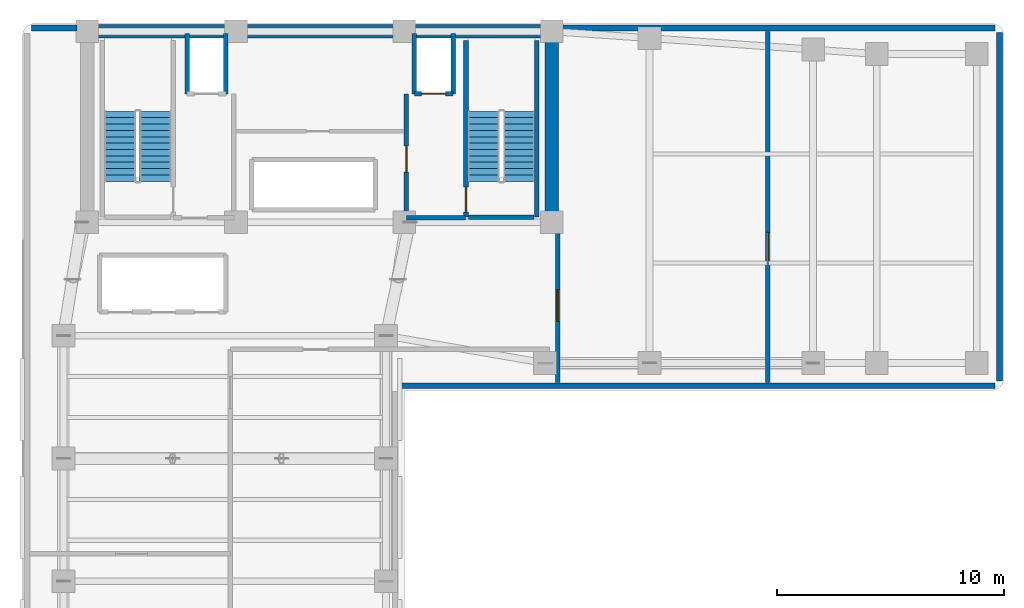
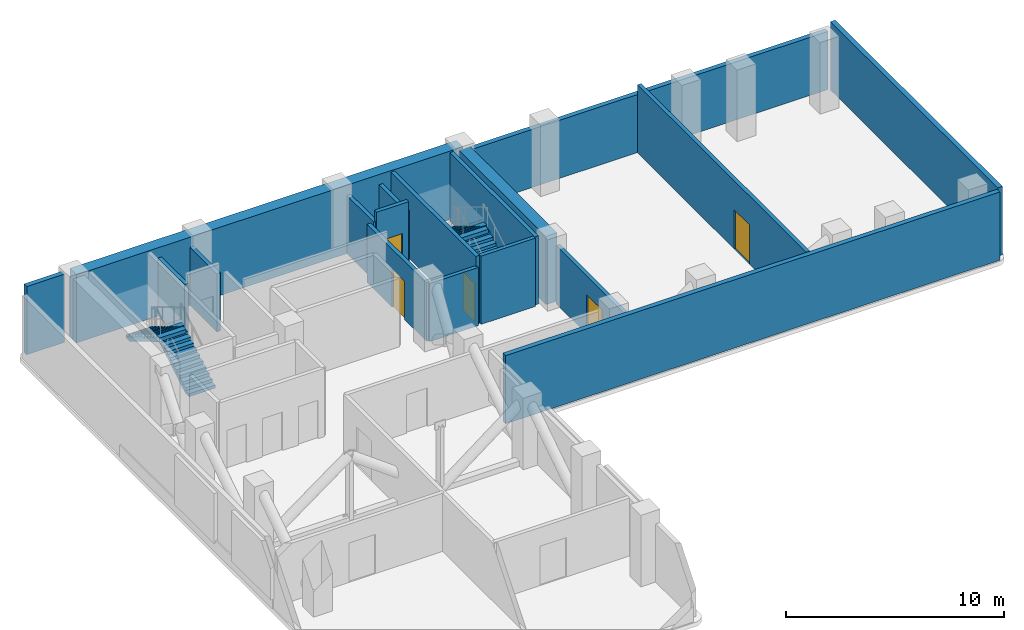
# One storey, part 5 of 6: 18 walls, 5 doors, 4 stair flights, 5 openings, 2 elements without a shape of their own.
"""IFC4 building model written with IfcOpenShell, lengths in metres."""

from ifc_helpers import new_model, si_unit, direction, frame, frame_2d, origin, place, context, subcontext, project, spatial, polyline, rectangle, outline, extrude, material, layer, layer_set, type_object, element, fill, aggregate, save


model = new_model("IFC4")

# Units and contexts
model_context = context("Model", 3, precision=1e-05, world=origin(), true_north=direction((0.0, 1.0)))
body_context = subcontext(model_context, "Body", "Model", "MODEL_VIEW")
ifc_project = project(units=[si_unit("LENGTHUNIT", "METRE"), si_unit("AREAUNIT", "SQUARE_METRE"), si_unit("VOLUMEUNIT", "CUBIC_METRE"), si_unit("PLANEANGLEUNIT", "RADIAN"), si_unit("MASSUNIT", "GRAM", prefix="KILO")], contexts=[model_context])

# Site, building, storey
site_placement = place(None, origin())
site = spatial("IfcSite", under=ifc_project, at=site_placement, CompositionType="ELEMENT")
building_placement = place(site_placement, origin())
building = spatial("IfcBuilding", under=site, at=building_placement, Name="Kuzgunbayir Cultural Tower", CompositionType="ELEMENT")
storey_placement = place(building_placement, frame((0.0, 0.0, 156.0)))
storey = spatial("IfcBuildingStorey", under=building, at=storey_placement, Name="L45", CompositionType="ELEMENT", Elevation=156.0)

# Walls
ifc_material_1 = material(Name="Concrete C60/75", Category="concrete")
ifc_layer_1 = layer(ifc_material_1, 0.60009765625)
ifc_layer_set_1 = layer_set([ifc_layer_1], Name="Concrete C60/75")
wall_type_1 = type_object("IfcWallType", Name="WAL-CORE-600", PredefinedType="SHEAR", material=ifc_layer_set_1)
wall_1_placement = place(storey_placement, frame((6.449951171875, 42.199951171875, 0.0), z_axis=(0.0, 0.0, 1.0), x_axis=(1.0, 0.0, 0.0)))
element("IfcWall", 1, at=wall_1_placement, inside=storey, type_object=wall_type_1, Name="L45 T1 Core North Shear Wall", PredefinedType="SHEAR", context=body_context, shape_type="SweptSolid", body=[
    extrude(rectangle(XDim=20.449951171875, YDim=0.60009765625, at=frame_2d((10.22509765625, 0.0))), origin(), (0.0, 0.0, 1.0), 3.820068359375),
])
wall_2_placement = place(storey_placement, frame((26.89990234375, 33.800048828125, 0.0), z_axis=(0.0, 0.0, 1.0), x_axis=(0.0, 1.0, 0.0)))
element("IfcWall", 2, at=wall_2_placement, inside=storey, type_object=wall_type_1, Name="L45 T1 Core East Shear Wall", PredefinedType="SHEAR", context=body_context, shape_type="SweptSolid", body=[
    extrude(rectangle(XDim=7.949951171875, YDim=0.60009765625, at=frame_2d((3.97509765625, 0.0))), origin(), (0.0, 0.0, 1.0), 3.820068359375),
])
ifc_material_2 = material(Name="Concrete C40/50", Category="concrete")
ifc_layer_2 = layer(ifc_material_2, 0.25)
ifc_layer_set_2 = layer_set([ifc_layer_2], Name="Concrete C40/50")
wall_type_2 = type_object("IfcWallType", Name="WAL-EXT-PLANT-250", PredefinedType="STANDARD", material=ifc_layer_set_2)
wall_3_placement = place(storey_placement, frame((46.39990234375, 42.35009765625, 0.0), z_axis=(0.0, 0.0, 1.0), x_axis=(-1.0, 0.0, 0.0)))
element("IfcWall", 3, at=wall_3_placement, inside=storey, type_object=wall_type_2, Name="L45 North Wing B Limestone Wall", PredefinedType="STANDARD", context=body_context, shape_type="SweptSolid", body=[
    extrude(rectangle(XDim=19.0498046875, YDim=0.25, at=frame_2d((9.52490234375, 0.0))), origin(), (0.0, 0.0, 1.0), 3.25),
])
wall_4_placement = place(storey_placement, frame((6.0, 42.35009765625, 0.0), z_axis=(0.0, 0.0, 1.0), x_axis=(-1.0, 0.0, 0.0)))
element("IfcWall", 4, at=wall_4_placement, inside=storey, type_object=wall_type_2, Name="L45 Core North-West Spandrel Link", PredefinedType="STANDARD", context=body_context, shape_type="SweptSolid", body=[
    extrude(rectangle(XDim=2.0, YDim=0.25, at=frame_2d((1.0, 0.0))), origin(), (0.0, 0.0, 1.0), 3.820068359375),
])
wall_5_placement = place(storey_placement, frame((20.25, 26.60009765625, 0.0), z_axis=(0.0, 0.0, 1.0), x_axis=(1.0, 0.0, 0.0)))
element("IfcWall", 5, at=wall_5_placement, inside=storey, type_object=wall_type_2, Name="L45 Wing B South Limestone Wall", PredefinedType="STANDARD", context=body_context, shape_type="SweptSolid", body=[
    extrude(rectangle(XDim=26.14990234375, YDim=0.25, at=frame_2d((13.074951171875, 0.0))), origin(), (0.0, 0.0, 1.0), 3.820068359375),
])
wall_6_placement = place(storey_placement, frame((46.60009765625, 26.800048828125, 0.0), z_axis=(0.0, 0.0, 1.0), x_axis=(0.0, 1.0, 0.0)))
element("IfcWall", 6, at=wall_6_placement, inside=storey, type_object=wall_type_2, Name="L45 Wing B East Limestone Wall", PredefinedType="STANDARD", context=body_context, shape_type="SweptSolid", body=[
    extrude(rectangle(XDim=15.349853515625, YDim=0.25, at=frame_2d((7.6748046875, 0.0))), origin(), (0.0, 0.0, 1.0), 3.820068359375),
])

# Wall, opening, door
ifc_material_3 = material(Name="Aerated Concrete Blockwork", Category="masonry")
ifc_layer_3 = layer(ifc_material_3, 0.199951171875)
ifc_layer_set_3 = layer_set([ifc_layer_3], Name="Aerated Concrete Blockwork")
wall_type_3 = type_object("IfcWallType", Name="WAL-PART-FIRE-200", PredefinedType="PARTITIONING", material=ifc_layer_set_3)
wall_7_placement = place(storey_placement, frame((20.5, 34.0, 0.0), z_axis=(0.0, 0.0, 1.0), x_axis=(0.0, 1.0, 0.0)))
wall_7 = element("IfcWall", 7, at=wall_7_placement, inside=storey, type_object=wall_type_3, Name="L45 FFL-2 Lobby West Fire Wall", PredefinedType="PARTITIONING", context=body_context, shape_type="SweptSolid", body=[
    extrude(rectangle(XDim=5.449951171875, YDim=0.199951171875, at=frame_2d((2.72509765625, 0.0))), origin(), (0.0, 0.0, 1.0), 3.25),
])
opening_1_placement = place(wall_7_placement, frame((2.0, 0.0, 0.0)))
opening_1 = element("IfcOpeningElement", 8, at=opening_1_placement, cuts=wall_7, Name="Opening DR-FFL-90", PredefinedType="OPENING", context=body_context, shape_type="SweptSolid", body=[
    extrude(rectangle(XDim=1.14990234375, YDim=2.14990234375, at=frame_2d((0.574951171875, 1.074951171875))), frame((0.0, 0.10986328125, 0.0), z_axis=(0.0, -1.0, 0.0), x_axis=(1.0, 0.0, 0.0)), (0.0, 0.0, 1.0), 0.219970703125),
])
ifc_material_4 = material(Name="Steel S355J2", Category="steel")
door_type_1 = type_object("IfcDoorType", Name="DR-FFL-90", OperationType="NOTDEFINED", PredefinedType="DOOR", material=ifc_material_4)
door_1_placement = place(opening_1_placement, origin())
door_1 = element("IfcDoor", 9, at=door_1_placement, inside=storey, type_object=door_type_1, Name="L45 Firefighting Lobby 2 Door", OperationType="SINGLE_SWING_RIGHT", OverallHeight=2.14990234375, OverallWidth=1.14990234375, PredefinedType="DOOR", context=body_context, shape_type="SweptSolid", body=[
    extrude(rectangle(XDim=1.14990234375, YDim=2.14990234375, at=frame_2d((0.574951171875, 1.074951171875))), frame((0.0, 0.02490234375, 0.0), z_axis=(0.0, -1.0, 0.0), x_axis=(1.0, 0.0, 0.0)), (0.0, 0.0, 1.0), 0.050048828125),
])
fill(opening_1, door_1)

# Wall
wall_8_placement = place(storey_placement, frame((20.5, 34.0, 0.0), z_axis=(0.0, 0.0, 1.0), x_axis=(1.0, 0.0, 0.0)))
element("IfcWall", 10, at=wall_8_placement, inside=storey, type_object=wall_type_3, Name="L45 FFL-2 Lobby South Fire Wall", PredefinedType="PARTITIONING", context=body_context, shape_type="SweptSolid", body=[
    extrude(rectangle(XDim=2.60009765625, YDim=0.199951171875, at=frame_2d((1.300048828125, 0.0))), origin(), (0.0, 0.0, 1.0), 3.25),
])

# Wall, opening, door
wall_9_placement = place(storey_placement, frame((27.14990234375, 26.75, 0.0), z_axis=(0.0, 0.0, 1.0), x_axis=(0.0, 1.0, 0.0)))
wall_9 = element("IfcWall", 11, at=wall_9_placement, inside=storey, type_object=wall_type_3, Name="L45 East Plant Wing Fire Wall", PredefinedType="PARTITIONING", context=body_context, shape_type="SweptSolid", body=[
    extrude(rectangle(XDim=6.89990234375, YDim=0.199951171875, at=frame_2d((3.449951171875, 0.0))), origin(), (0.0, 0.0, 1.0), 3.25),
])
opening_2_placement = place(wall_9_placement, frame((2.679931640625, 0.0, 0.0)))
opening_2 = element("IfcOpeningElement", 12, at=opening_2_placement, cuts=wall_9, Name="Opening DR-PLANT-90", PredefinedType="OPENING", context=body_context, shape_type="SweptSolid", body=[
    extrude(rectangle(XDim=1.39990234375, YDim=2.199951171875, at=frame_2d((0.699951171875, 1.10009765625))), frame((0.0, 0.10986328125, 0.0), z_axis=(0.0, -1.0, 0.0), x_axis=(1.0, 0.0, 0.0)), (0.0, 0.0, 1.0), 0.219970703125),
])
ifc_material_5 = material(Name="Acoustic Steel Double Leaf", Category="steel")
door_type_2 = type_object("IfcDoorType", Name="DR-PLANT-90", OperationType="DOUBLE_DOOR_SINGLE_SWING", PredefinedType="DOOR", material=ifc_material_5)
door_2_placement = place(opening_2_placement, origin())
door_2 = element("IfcDoor", 13, at=door_2_placement, inside=storey, type_object=door_type_2, Name="L45 Booster Pump Room Door", OperationType="DOUBLE_DOOR_SINGLE_SWING", OverallHeight=2.199951171875, OverallWidth=1.39990234375, PredefinedType="DOOR", context=body_context, shape_type="SweptSolid", body=[
    extrude(rectangle(XDim=1.39990234375, YDim=2.199951171875, at=frame_2d((0.699951171875, 1.10009765625))), frame((0.0, 0.02490234375, 0.0), z_axis=(0.0, -1.0, 0.0), x_axis=(1.0, 0.0, 0.0)), (0.0, 0.0, 1.0), 0.050048828125),
])
fill(opening_2, door_2)

wall_10_placement = place(storey_placement, frame((36.39990234375, 26.75, 0.0), z_axis=(0.0, 0.0, 1.0), x_axis=(0.0, 1.0, 0.0)))
wall_10 = element("IfcWall", 14, at=wall_10_placement, inside=storey, type_object=wall_type_3, Name="L45 East Plant Compartment Divider", PredefinedType="PARTITIONING", context=body_context, shape_type="SweptSolid", body=[
    extrude(rectangle(XDim=15.449951171875, YDim=0.199951171875, at=frame_2d((7.72509765625, 0.0))), origin(), (0.0, 0.0, 1.0), 3.820068359375),
])
opening_3_placement = place(wall_10_placement, frame((5.199951171875, 0.0, 0.0)))
opening_3 = element("IfcOpeningElement", 15, at=opening_3_placement, cuts=wall_10, Name="Opening DR-PLANT-90", PredefinedType="OPENING", context=body_context, shape_type="SweptSolid", body=[
    extrude(rectangle(XDim=1.39990234375, YDim=2.199951171875, at=frame_2d((0.699951171875, 1.10009765625))), frame((0.0, 0.10986328125, 0.0), z_axis=(0.0, -1.0, 0.0), x_axis=(1.0, 0.0, 0.0)), (0.0, 0.0, 1.0), 0.219970703125),
])
door_3_placement = place(opening_3_placement, origin())
door_3 = element("IfcDoor", 16, at=door_3_placement, inside=storey, type_object=door_type_2, Name="L45 Smoke-Extract Room Door", OperationType="DOUBLE_DOOR_SINGLE_SWING", OverallHeight=2.199951171875, OverallWidth=1.39990234375, PredefinedType="DOOR", context=body_context, shape_type="SweptSolid", body=[
    extrude(rectangle(XDim=1.39990234375, YDim=2.199951171875, at=frame_2d((0.699951171875, 1.10009765625))), frame((0.0, 0.02490234375, 0.0), z_axis=(0.0, -1.0, 0.0), x_axis=(1.0, 0.0, 0.0)), (0.0, 0.0, 1.0), 0.050048828125),
])
fill(opening_3, door_3)

ifc_layer_4 = layer(ifc_material_2, 0.199951171875)
ifc_layer_set_4 = layer_set([ifc_layer_4], Name="Concrete C40/50")
wall_type_4 = type_object("IfcWallType", Name="WAL-SHAFT-200", PredefinedType="MOVABLE", material=ifc_layer_set_4)
wall_11_placement = place(storey_placement, frame((20.85009765625, 39.449951171875, 0.0), z_axis=(0.0, 0.0, 1.0), x_axis=(1.0, 0.0, 0.0)))
wall_11 = element("IfcWall", 17, at=wall_11_placement, inside=storey, type_object=wall_type_4, Name="L45 FFL-2 Lift Front Wall", PredefinedType="MOVABLE", context=body_context, shape_type="SweptSolid", body=[
    extrude(rectangle(XDim=1.699951171875, YDim=0.199951171875, at=frame_2d((0.85009765625, 0.0))), origin(), (0.0, 0.0, 1.0), 3.820068359375),
])
opening_4_placement = place(wall_11_placement, frame((0.320068359375, 0.0, 0.0)))
opening_4 = element("IfcOpeningElement", 18, at=opening_4_placement, cuts=wall_11, Name="Opening LD", PredefinedType="OPENING", context=body_context, shape_type="SweptSolid", body=[
    extrude(rectangle(XDim=1.050048828125, YDim=2.14990234375, at=frame_2d((0.52490234375, 1.074951171875))), frame((0.0, 0.10986328125, 0.0), z_axis=(0.0, -1.0, 0.0), x_axis=(1.0, 0.0, 0.0)), (0.0, 0.0, 1.0), 0.219970703125),
])
ifc_material_6 = material(Name="Brushed Stainless Steel", Category="steel")
door_type_3 = type_object("IfcDoorType", Name="DR-LIFT-LANDING", OperationType="SLIDING_TO_LEFT", PredefinedType="DOOR", material=ifc_material_6)
door_4_placement = place(opening_4_placement, origin())
door_4 = element("IfcDoor", 19, at=door_4_placement, inside=storey, type_object=door_type_3, Name="L45 Lift FFL-2 Landing Door", OperationType="SLIDING_TO_LEFT", OverallHeight=2.14990234375, OverallWidth=1.050048828125, PredefinedType="DOOR", context=body_context, shape_type="SweptSolid", body=[
    extrude(rectangle(XDim=1.050048828125, YDim=2.14990234375, at=frame_2d((0.52490234375, 1.074951171875))), frame((0.0, 0.02490234375, 0.0), z_axis=(0.0, -1.0, 0.0), x_axis=(1.0, 0.0, 0.0)), (0.0, 0.0, 1.0), 0.050048828125),
])
fill(opening_4, door_4)

# Walls
for number, where, z_axis, x_axis, name in (
    (20, (10.85009765625, 39.449951171875, 0.0), (0.0, 0.0, 1.0), (0.0, 1.0, 0.0), "L45 FFL-1 Shaft West Wall"),
    (21, (12.550048828125, 39.449951171875, 0.0), (0.0, 0.0, 1.0), (0.0, 1.0, 0.0), "L45 FFL-1 Shaft East Wall"),
    (22, (20.85009765625, 39.449951171875, 0.0), (0.0, 0.0, 1.0), (0.0, 1.0, 0.0), "L45 FFL-2 Shaft West Wall"),
    (23, (22.550048828125, 39.449951171875, 0.0), (0.0, 0.0, 1.0), (0.0, 1.0, 0.0), "L45 FFL-2 Shaft East Wall"),
):
    element("IfcWall", number, at=place(storey_placement, frame(where, z_axis=z_axis, x_axis=x_axis)), inside=storey, type_object=wall_type_4, Name=name, PredefinedType="MOVABLE", context=body_context, shape_type="SweptSolid", body=[
        extrude(rectangle(XDim=2.650146484375, YDim=0.199951171875, at=frame_2d((1.3251953125, 0.0))), origin(), (0.0, 0.0, 1.0), 3.25),
    ])

# Wall, opening, door
ifc_layer_5 = layer(ifc_material_2, 0.199951171875)
ifc_layer_set_5 = layer_set([ifc_layer_5], Name="Concrete C40/50")
wall_type_5 = type_object("IfcWallType", Name="WAL-STAIR-RC-200", PredefinedType="SHEAR", material=ifc_layer_set_5)
wall_12_placement = place(storey_placement, frame((23.1201171875, 34.02001953125, 0.0), z_axis=(0.0, 0.0, 1.0), x_axis=(0.0, 1.0, 0.0)))
wall_12 = element("IfcWall", 24, at=wall_12_placement, inside=storey, type_object=wall_type_5, Name="L45 Stair ST-2 West Structural Wall", PredefinedType="SHEAR", context=body_context, shape_type="SweptSolid", body=[
    extrude(rectangle(XDim=7.780029296875, YDim=0.199951171875, at=frame_2d((3.89013671875, 0.0))), origin(), (0.0, 0.0, 1.0), 3.820068359375),
])
opening_5_placement = place(wall_12_placement, frame((0.219970703125, 0.0, 0.0)))
opening_5 = element("IfcOpeningElement", 25, at=opening_5_placement, cuts=wall_12, Name="Opening DR-STAIR-90", PredefinedType="OPENING", context=body_context, shape_type="SweptSolid", body=[
    extrude(rectangle(XDim=1.10009765625, YDim=2.14990234375, at=frame_2d((0.550048828125, 1.074951171875))), frame((0.0, 0.10986328125, 0.0), z_axis=(0.0, -1.0, 0.0), x_axis=(1.0, 0.0, 0.0)), (0.0, 0.0, 1.0), 0.219970703125),
])
door_type_4 = type_object("IfcDoorType", Name="DR-STAIR-90", OperationType="NOTDEFINED", PredefinedType="DOOR", material=ifc_material_4)
door_5_placement = place(opening_5_placement, origin())
door_5 = element("IfcDoor", 26, at=door_5_placement, inside=storey, type_object=door_type_4, Name="L45 Stair ST-2 Fire Door", OperationType="SINGLE_SWING_LEFT", OverallHeight=2.14990234375, OverallWidth=1.10009765625, PredefinedType="DOOR", context=body_context, shape_type="SweptSolid", body=[
    extrude(rectangle(XDim=1.10009765625, YDim=2.14990234375, at=frame_2d((0.550048828125, 1.074951171875))), frame((0.0, 0.02490234375, 0.0), z_axis=(0.0, -1.0, 0.0), x_axis=(1.0, 0.0, 0.0)), (0.0, 0.0, 1.0), 0.050048828125),
])
fill(opening_5, door_5)

# Walls
wall_13_placement = place(storey_placement, frame((26.239990234375, 34.02001953125, 0.0), z_axis=(0.0, 0.0, 1.0), x_axis=(0.0, 1.0, 0.0)))
element("IfcWall", 27, at=wall_13_placement, inside=storey, type_object=wall_type_5, Name="L45 Stair ST-2 East Structural Wall", PredefinedType="SHEAR", context=body_context, shape_type="SweptSolid", body=[
    extrude(rectangle(XDim=7.780029296875, YDim=0.199951171875, at=frame_2d((3.89013671875, 0.0))), origin(), (0.0, 0.0, 1.0), 3.820068359375),
])
wall_14_placement = place(storey_placement, frame((23.239990234375, 34.02001953125, 0.0), z_axis=(0.0, 0.0, 1.0), x_axis=(1.0, 0.0, 0.0)))
element("IfcWall", 28, at=wall_14_placement, inside=storey, type_object=wall_type_5, Name="L45 Stair ST-2 South Structural Wall", PredefinedType="SHEAR", context=body_context, shape_type="SweptSolid", body=[
    extrude(rectangle(XDim=2.880126953125, YDim=0.199951171875, at=frame_2d((1.43994140625, 0.0))), origin(), (0.0, 0.0, 1.0), 3.820068359375),
])

# Stair, stair flights
stair_type = type_object("IfcStairType", Name="STR-EXIT-CORE", PredefinedType="HALF_TURN_STAIR", material=ifc_material_2)
stair_1_placement = place(storey_placement, origin())
stair_1 = element("IfcStair", 29, at=stair_1_placement, inside=storey, type_object=stair_type, Name="L45 ST-1", PredefinedType="HALF_TURN_STAIR")
stair_flight_type = type_object("IfcStairFlightType", Name="STRF-RC-140", PredefinedType="STRAIGHT", material=ifc_material_2)
stair_flight_1_placement = place(storey_placement, frame((9.4599609375, 35.60009765625, 0.0), z_axis=(0.0, 0.0, 1.0), x_axis=(0.0, 1.0, 0.0)))
stair_flight_1 = element("IfcStairFlight", 30, at=stair_flight_1_placement, type_object=stair_flight_type, Name="ST-1 flight 1", NumberOfRisers=12, NumberOfTreads=11, PredefinedType="STRAIGHT", RiserHeight=0.166666667, TreadLength=0.28, context=body_context, shape_type="SweptSolid", body=[
    extrude(outline(polyline([(0.0, 0.0), (0.0, 0.166748046875), (0.280029296875, 0.166748046875), (0.280029296875, 0.333251953125), (0.56005859375, 0.333251953125), (0.56005859375, 0.5), (0.840087890625, 0.5), (0.840087890625, 0.666748046875), (1.1201171875, 0.666748046875), (1.1201171875, 0.833251953125), (1.39990234375, 0.833251953125), (1.39990234375, 1.0), (1.679931640625, 1.0), (1.679931640625, 1.166748046875), (1.9599609375, 1.166748046875), (1.9599609375, 1.333251953125), (2.239990234375, 1.333251953125), (2.239990234375, 1.5), (2.52001953125, 1.5), (2.52001953125, 1.666748046875), (2.800048828125, 1.666748046875), (2.800048828125, 1.833251953125), (3.080078125, 1.833251953125), (3.080078125, 2.0), (3.080078125, 1.6240234375), (0.351806640625, 0.0), (0.0, 0.0)])), frame((0.0, 0.699951171875, 0.0), z_axis=(0.0, -1.0, 0.0), x_axis=(1.0, 0.0, 0.0)), (0.0, 0.0, 1.0), 1.39990234375),
])
stair_flight_2_placement = place(storey_placement, frame((7.89990234375, 38.679931640625, 2.0), z_axis=(0.0, 0.0, 1.0), x_axis=(0.0, -1.0, 0.0)))
stair_flight_2 = element("IfcStairFlight", 31, at=stair_flight_2_placement, type_object=stair_flight_type, Name="ST-1 flight 2", NumberOfRisers=12, NumberOfTreads=11, PredefinedType="STRAIGHT", RiserHeight=0.166666667, TreadLength=0.28, context=body_context, shape_type="SweptSolid", body=[
    extrude(outline(polyline([(0.0, 0.0), (0.0, 0.166748046875), (0.280029296875, 0.166748046875), (0.280029296875, 0.333251953125), (0.56005859375, 0.333251953125), (0.56005859375, 0.5), (0.840087890625, 0.5), (0.840087890625, 0.666748046875), (1.1201171875, 0.666748046875), (1.1201171875, 0.833251953125), (1.39990234375, 0.833251953125), (1.39990234375, 1.0), (1.679931640625, 1.0), (1.679931640625, 1.166748046875), (1.9599609375, 1.166748046875), (1.9599609375, 1.333251953125), (2.239990234375, 1.333251953125), (2.239990234375, 1.5), (2.52001953125, 1.5), (2.52001953125, 1.666748046875), (2.800048828125, 1.666748046875), (2.800048828125, 1.833251953125), (3.080078125, 1.833251953125), (3.080078125, 2.0), (3.080078125, 1.6240234375), (0.351806640625, 0.0), (0.0, 0.0)])), frame((0.0, 0.699951171875, 0.0), z_axis=(0.0, -1.0, 0.0), x_axis=(1.0, 0.0, 0.0)), (0.0, 0.0, 1.0), 1.39990234375),
])
aggregate(stair_1, [stair_flight_1, stair_flight_2])

stair_2_placement = place(storey_placement, origin())
stair_2 = element("IfcStair", 32, at=stair_2_placement, inside=storey, type_object=stair_type, Name="L45 ST-2", PredefinedType="HALF_TURN_STAIR")
stair_flight_3_placement = place(storey_placement, frame((25.4599609375, 35.60009765625, 0.0), z_axis=(0.0, 0.0, 1.0), x_axis=(0.0, 1.0, 0.0)))
stair_flight_3 = element("IfcStairFlight", 33, at=stair_flight_3_placement, type_object=stair_flight_type, Name="ST-2 flight 1", NumberOfRisers=12, NumberOfTreads=11, PredefinedType="STRAIGHT", RiserHeight=0.166666667, TreadLength=0.28, context=body_context, shape_type="SweptSolid", body=[
    extrude(outline(polyline([(0.0, 0.0), (0.0, 0.166748046875), (0.280029296875, 0.166748046875), (0.280029296875, 0.333251953125), (0.56005859375, 0.333251953125), (0.56005859375, 0.5), (0.840087890625, 0.5), (0.840087890625, 0.666748046875), (1.1201171875, 0.666748046875), (1.1201171875, 0.833251953125), (1.39990234375, 0.833251953125), (1.39990234375, 1.0), (1.679931640625, 1.0), (1.679931640625, 1.166748046875), (1.9599609375, 1.166748046875), (1.9599609375, 1.333251953125), (2.239990234375, 1.333251953125), (2.239990234375, 1.5), (2.52001953125, 1.5), (2.52001953125, 1.666748046875), (2.800048828125, 1.666748046875), (2.800048828125, 1.833251953125), (3.080078125, 1.833251953125), (3.080078125, 2.0), (3.080078125, 1.6240234375), (0.351806640625, 0.0), (0.0, 0.0)])), frame((0.0, 0.699951171875, 0.0), z_axis=(0.0, -1.0, 0.0), x_axis=(1.0, 0.0, 0.0)), (0.0, 0.0, 1.0), 1.39990234375),
])
stair_flight_4_placement = place(storey_placement, frame((23.89990234375, 38.679931640625, 2.0), z_axis=(0.0, 0.0, 1.0), x_axis=(0.0, -1.0, 0.0)))
stair_flight_4 = element("IfcStairFlight", 34, at=stair_flight_4_placement, type_object=stair_flight_type, Name="ST-2 flight 2", NumberOfRisers=12, NumberOfTreads=11, PredefinedType="STRAIGHT", RiserHeight=0.166666667, TreadLength=0.28, context=body_context, shape_type="SweptSolid", body=[
    extrude(outline(polyline([(0.0, 0.0), (0.0, 0.166748046875), (0.280029296875, 0.166748046875), (0.280029296875, 0.333251953125), (0.56005859375, 0.333251953125), (0.56005859375, 0.5), (0.840087890625, 0.5), (0.840087890625, 0.666748046875), (1.1201171875, 0.666748046875), (1.1201171875, 0.833251953125), (1.39990234375, 0.833251953125), (1.39990234375, 1.0), (1.679931640625, 1.0), (1.679931640625, 1.166748046875), (1.9599609375, 1.166748046875), (1.9599609375, 1.333251953125), (2.239990234375, 1.333251953125), (2.239990234375, 1.5), (2.52001953125, 1.5), (2.52001953125, 1.666748046875), (2.800048828125, 1.666748046875), (2.800048828125, 1.833251953125), (3.080078125, 1.833251953125), (3.080078125, 2.0), (3.080078125, 1.6240234375), (0.351806640625, 0.0), (0.0, 0.0)])), frame((0.0, 0.699951171875, 0.0), z_axis=(0.0, -1.0, 0.0), x_axis=(1.0, 0.0, 0.0)), (0.0, 0.0, 1.0), 1.39990234375),
])
aggregate(stair_2, [stair_flight_3, stair_flight_4])

save(model, "model.ifc")
